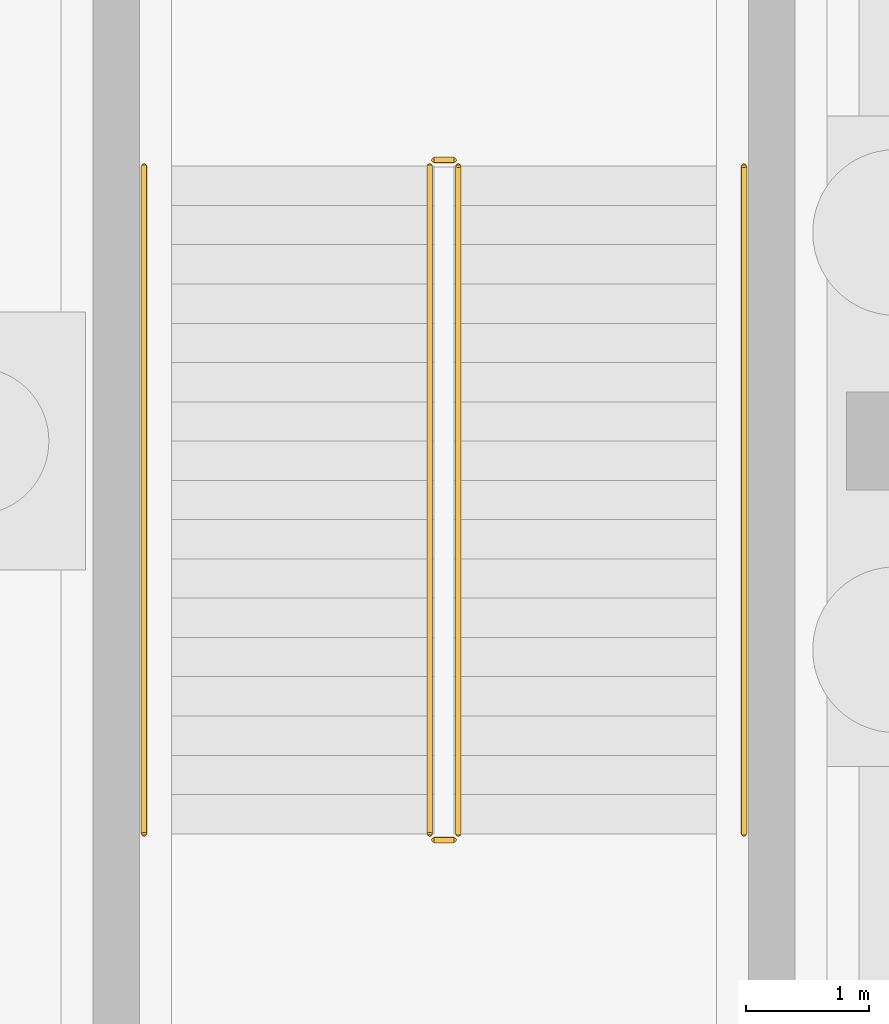
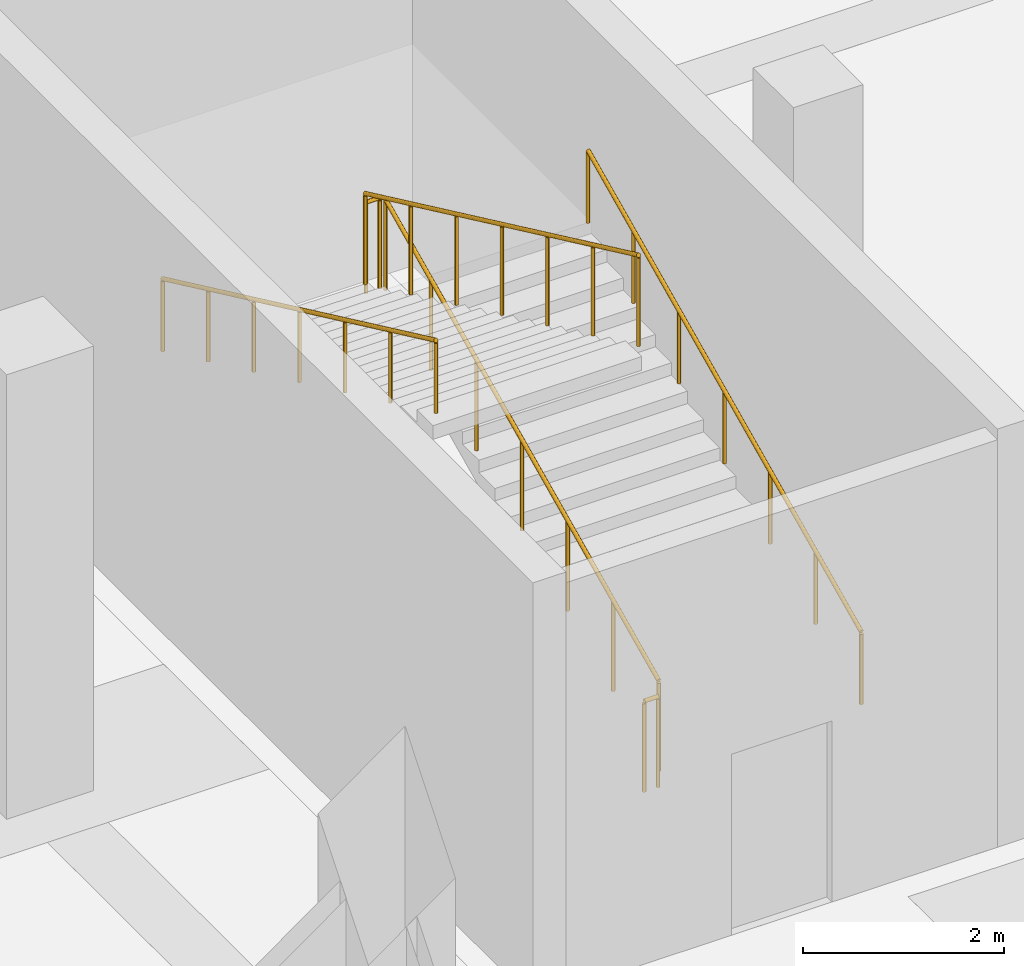
# One storey, part 35 of 39: 6 railings.
"""IFC4 building model written with IfcOpenShell, lengths in metres."""

from ifc_helpers import new_model, si_unit, direction, frame, origin, origin_2d, place, context, subcontext, project, spatial, circle, extrude, material, layer, layer_set, type_object, element, save


model = new_model("IFC4")

# Units and contexts
model_context = context("Model", 3, precision=1e-05, world=origin(), true_north=direction((0.0, 1.0)))
body_context = subcontext(model_context, "Body", "Model", "MODEL_VIEW")
ifc_project = project(units=[si_unit("LENGTHUNIT", "METRE"), si_unit("AREAUNIT", "SQUARE_METRE"), si_unit("VOLUMEUNIT", "CUBIC_METRE"), si_unit("PLANEANGLEUNIT", "RADIAN"), si_unit("MASSUNIT", "GRAM", prefix="KILO")], contexts=[model_context])

# Site, building, storey
site_placement = place(None, origin())
site = spatial("IfcSite", under=ifc_project, at=site_placement, CompositionType="ELEMENT")
building_placement = place(site_placement, origin())
building = spatial("IfcBuilding", under=site, at=building_placement, Name="Celestram Park Convention Centre", CompositionType="ELEMENT")
storey_placement = place(building_placement, frame((0.0, 0.0, -5.39990234375)))
storey = spatial("IfcBuildingStorey", under=building, at=storey_placement, Name="B1", CompositionType="ELEMENT", Elevation=-5.39990234375)

# Railings
ifc_material_1 = material(Name="Stainless Steel AISI 316L & Laminated Glass", Category="steel")
ifc_layer_1 = layer(ifc_material_1, 0.06005859375)
ifc_layer_set_1 = layer_set([ifc_layer_1], Name="Stainless Steel AISI 316L & Laminated Glass")
railing_type_1 = type_object("IfcRailingType", Name="ARC-RL-GRD1120", PredefinedType="GUARDRAIL", material=ifc_layer_set_1)
railing_1_placement = place(storey_placement, frame((131.43603515625, 54.39990234375, 0.14990234375)))
element("IfcRailing", 1, at=railing_1_placement, inside=storey, type_object=railing_type_1, Name="B1 ST-04 stair guard 1", PredefinedType="GUARDRAIL", context=body_context, shape_type="SweptSolid", body=[
    extrude(circle(Radius=0.02392578125, at=origin_2d()), frame((0.0, 0.0, 1.09619140625), z_axis=(0.0, 0.905461375974, 0.424428670827), x_axis=(-1.0, 0.0, 0.0)), (0.0, 0.0, 1.0), 6.00830078125),
    extrude(circle(Radius=0.02099609375, at=origin_2d()), origin(), (0.0, 0.0, 1.0), 1.072021484375),
    extrude(circle(Radius=0.02099609375, at=origin_2d()), frame((0.0, 0.90673828125, 0.425048828125)), (0.0, 0.0, 1.0), 1.072021484375),
    extrude(circle(Radius=0.02099609375, at=origin_2d()), frame((0.0, 1.8134765625, 0.85009765625)), (0.0, 0.0, 1.0), 1.072021484375),
    extrude(circle(Radius=0.02099609375, at=origin_2d()), frame((0.0, 2.72021484375, 1.27490234375)), (0.0, 0.0, 1.0), 1.072021484375),
    extrude(circle(Radius=0.02099609375, at=origin_2d()), frame((0.0, 3.626708984375, 1.699951171875)), (0.0, 0.0, 1.0), 1.072021484375),
    extrude(circle(Radius=0.02099609375, at=origin_2d()), frame((0.0, 4.533447265625, 2.125)), (0.0, 0.0, 1.0), 1.072021484375),
    extrude(circle(Radius=0.02099609375, at=origin_2d()), frame((0.0, 5.440185546875, 2.550048828125)), (0.0, 0.0, 1.0), 1.072021484375),
])
railing_2_placement = place(storey_placement, frame((131.39990234375, 59.889892578125, 2.699951171875)))
element("IfcRailing", 2, at=railing_2_placement, inside=storey, type_object=railing_type_1, Name="B1 ST-04 stair guard 2", PredefinedType="GUARDRAIL", context=body_context, shape_type="SweptSolid", body=[
    extrude(circle(Radius=0.02392578125, at=origin_2d()), frame((0.0, 0.0, 1.09619140625), z_axis=(-1.0, 0.0, 0.0), x_axis=(0.0, -1.0, 0.0)), (0.0, 0.0, 1.0), 0.159912109375),
    extrude(circle(Radius=0.02099609375, at=origin_2d()), origin(), (0.0, 0.0, 1.0), 1.072021484375),
    extrude(circle(Radius=0.02099609375, at=origin_2d()), frame((-0.159912109375, 0.0, 0.0)), (0.0, 0.0, 1.0), 1.072021484375),
])
railing_3_placement = place(storey_placement, frame((131.2041015625, 59.840087890625, 2.849853515625)))
element("IfcRailing", 3, at=railing_3_placement, inside=storey, type_object=railing_type_1, Name="B1 ST-04 stair guard 3", PredefinedType="GUARDRAIL", context=body_context, shape_type="SweptSolid", body=[
    extrude(circle(Radius=0.02392578125, at=origin_2d()), frame((0.0, 0.0, 1.09619140625), z_axis=(0.0, -0.905461375974, 0.424428670827), x_axis=(1.0, 0.0, 0.0)), (0.0, 0.0, 1.0), 6.00830078125),
    extrude(circle(Radius=0.02099609375, at=origin_2d()), origin(), (0.0, 0.0, 1.0), 1.072021484375),
    extrude(circle(Radius=0.02099609375, at=origin_2d()), frame((0.0, -0.90673828125, 0.425048828125)), (0.0, 0.0, 1.0), 1.072021484375),
    extrude(circle(Radius=0.02099609375, at=origin_2d()), frame((0.0, -1.8134765625, 0.85009765625)), (0.0, 0.0, 1.0), 1.072021484375),
    extrude(circle(Radius=0.02099609375, at=origin_2d()), frame((0.0, -2.72021484375, 1.27490234375)), (0.0, 0.0, 1.0), 1.072021484375),
    extrude(circle(Radius=0.02099609375, at=origin_2d()), frame((0.0, -3.626708984375, 1.699951171875)), (0.0, 0.0, 1.0), 1.072021484375),
    extrude(circle(Radius=0.02099609375, at=origin_2d()), frame((0.0, -4.533447265625, 2.125)), (0.0, 0.0, 1.0), 1.072021484375),
    extrude(circle(Radius=0.02099609375, at=origin_2d()), frame((0.0, -5.440185546875, 2.550048828125)), (0.0, 0.0, 1.0), 1.072021484375),
])
railing_4_placement = place(storey_placement, frame((131.39990234375, 54.35009765625, 0.0)))
element("IfcRailing", 4, at=railing_4_placement, inside=storey, type_object=railing_type_1, Name="B1 ST-04 stair guard 4", PredefinedType="GUARDRAIL", context=body_context, shape_type="SweptSolid", body=[
    extrude(circle(Radius=0.02392578125, at=origin_2d()), frame((0.0, 0.0, 1.09619140625), z_axis=(-1.0, 0.0, 0.0), x_axis=(0.0, -1.0, 0.0)), (0.0, 0.0, 1.0), 0.159912109375),
    extrude(circle(Radius=0.02099609375, at=origin_2d()), origin(), (0.0, 0.0, 1.0), 1.072021484375),
    extrude(circle(Radius=0.02099609375, at=origin_2d()), frame((-0.159912109375, 0.0, 0.0)), (0.0, 0.0, 1.0), 1.072021484375),
])
ifc_material_2 = material(Name="Brushed Stainless Steel AISI 304", Category="steel")
ifc_layer_2 = layer(ifc_material_2, 0.048095703125)
ifc_layer_set_2 = layer_set([ifc_layer_2], Name="Brushed Stainless Steel AISI 304")
railing_type_2 = type_object("IfcRailingType", Name="ARC-RL-HND915", PredefinedType="HANDRAIL", material=ifc_layer_set_2)
railing_5_placement = place(storey_placement, frame((133.763916015625, 54.39990234375, 0.14990234375)))
element("IfcRailing", 5, at=railing_5_placement, inside=storey, type_object=railing_type_2, Name="B1 ST-04 stair handrail 1", PredefinedType="HANDRAIL", context=body_context, shape_type="SweptSolid", body=[
    extrude(circle(Radius=0.02392578125, at=origin_2d()), frame((0.0, 0.0, 0.8759765625), z_axis=(0.0, 0.905461375974, 0.424428670827), x_axis=(-1.0, 0.0, 0.0)), (0.0, 0.0, 1.0), 6.00830078125),
    extrude(circle(Radius=0.02099609375, at=origin_2d()), origin(), (0.0, 0.0, 1.0), 0.851806640625),
    extrude(circle(Radius=0.02099609375, at=origin_2d()), frame((0.0, 0.90673828125, 0.425048828125)), (0.0, 0.0, 1.0), 0.851806640625),
    extrude(circle(Radius=0.02099609375, at=origin_2d()), frame((0.0, 1.8134765625, 0.85009765625)), (0.0, 0.0, 1.0), 0.851806640625),
    extrude(circle(Radius=0.02099609375, at=origin_2d()), frame((0.0, 2.72021484375, 1.27490234375)), (0.0, 0.0, 1.0), 0.851806640625),
    extrude(circle(Radius=0.02099609375, at=origin_2d()), frame((0.0, 3.626708984375, 1.699951171875)), (0.0, 0.0, 1.0), 0.851806640625),
    extrude(circle(Radius=0.02099609375, at=origin_2d()), frame((0.0, 4.533447265625, 2.125)), (0.0, 0.0, 1.0), 0.851806640625),
    extrude(circle(Radius=0.02099609375, at=origin_2d()), frame((0.0, 5.440185546875, 2.550048828125)), (0.0, 0.0, 1.0), 0.851806640625),
])
railing_6_placement = place(storey_placement, frame((128.8759765625, 59.840087890625, 2.849853515625)))
element("IfcRailing", 6, at=railing_6_placement, inside=storey, type_object=railing_type_2, Name="B1 ST-04 stair handrail 2", PredefinedType="HANDRAIL", context=body_context, shape_type="SweptSolid", body=[
    extrude(circle(Radius=0.02392578125, at=origin_2d()), frame((0.0, 0.0, 0.8759765625), z_axis=(0.0, -0.905461375974, 0.424428670827), x_axis=(1.0, 0.0, 0.0)), (0.0, 0.0, 1.0), 6.00830078125),
    extrude(circle(Radius=0.02099609375, at=origin_2d()), origin(), (0.0, 0.0, 1.0), 0.851806640625),
    extrude(circle(Radius=0.02099609375, at=origin_2d()), frame((0.0, -0.90673828125, 0.425048828125)), (0.0, 0.0, 1.0), 0.851806640625),
    extrude(circle(Radius=0.02099609375, at=origin_2d()), frame((0.0, -1.8134765625, 0.85009765625)), (0.0, 0.0, 1.0), 0.851806640625),
    extrude(circle(Radius=0.02099609375, at=origin_2d()), frame((0.0, -2.72021484375, 1.27490234375)), (0.0, 0.0, 1.0), 0.851806640625),
    extrude(circle(Radius=0.02099609375, at=origin_2d()), frame((0.0, -3.626708984375, 1.699951171875)), (0.0, 0.0, 1.0), 0.851806640625),
    extrude(circle(Radius=0.02099609375, at=origin_2d()), frame((0.0, -4.533447265625, 2.125)), (0.0, 0.0, 1.0), 0.851806640625),
    extrude(circle(Radius=0.02099609375, at=origin_2d()), frame((0.0, -5.440185546875, 2.550048828125)), (0.0, 0.0, 1.0), 0.851806640625),
])

save(model, "model.ifc")
